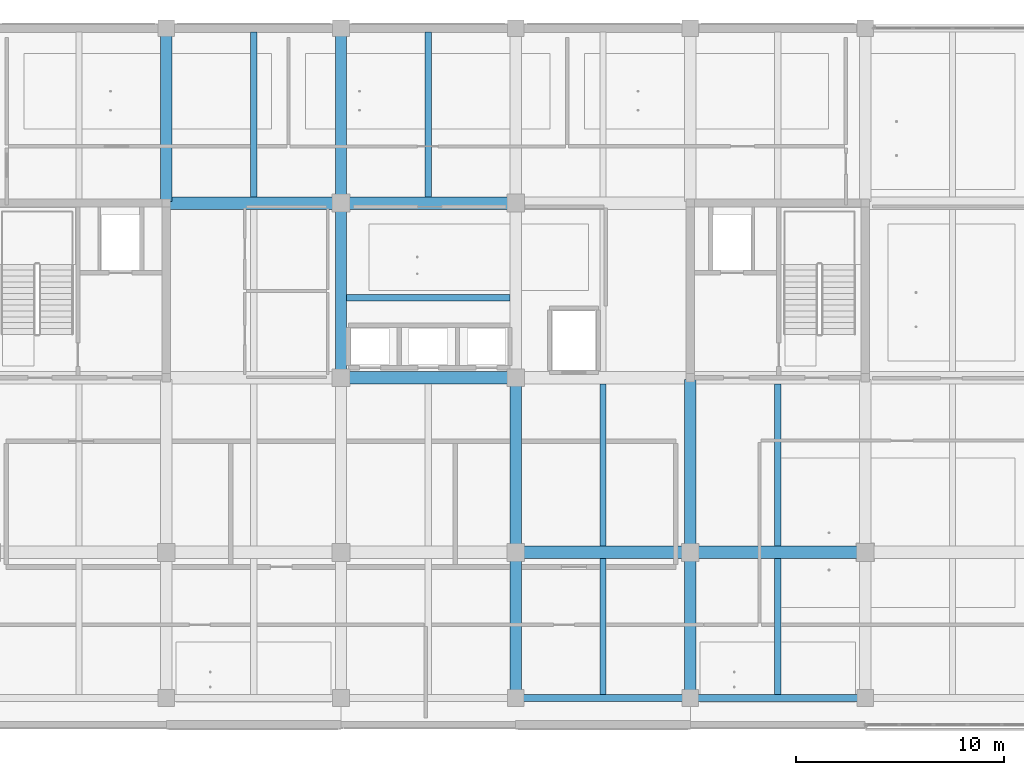
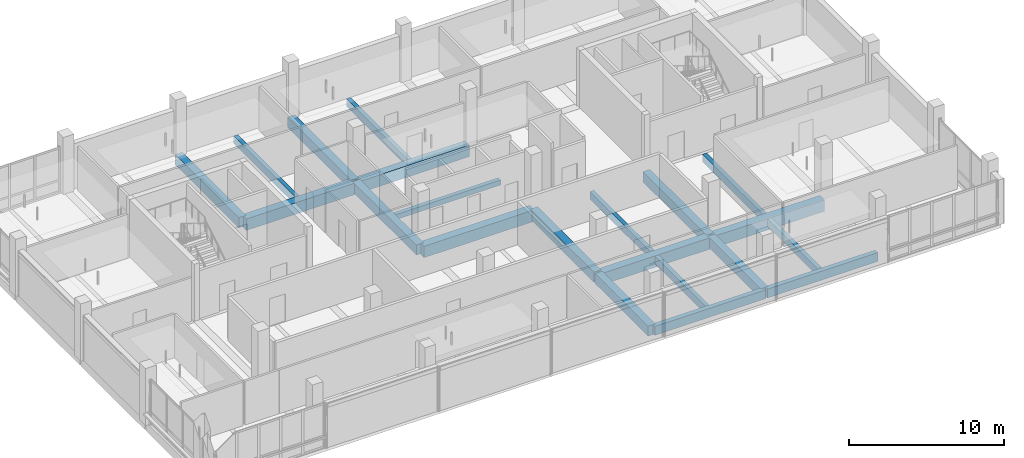
# One storey, part 5 of 35: 21 beams.
"""IFC4 building model written with IfcOpenShell, lengths in metres."""

import ifcopenshell
import ifcopenshell.guid

model = None  # the IFC model being written
_history = None  # IfcOwnerHistory: only IFC2X3 demands one
_inside = {}  # id of a spatial element -> (the spatial element, [elements in it])
_under = {}  # id of a project, library or spatial element -> (it, [spatial elements below it])
_declared = {}  # id of a project -> (the project, [libraries it declares])
_typed = {}  # id of a type object -> (the type object, [elements of that type])
_made_of = {}  # id of a material, layer set ... -> (it, [elements and type objects made of it])


def new_model(schema):
    """Start an empty IFC model of exactly this schema.

    Asked for "IFC4X3", IfcOpenShell would pick the latest addendum, in which some entities
    have other attributes; the version numbers below select the first issue.
    IFC2X3 requires an IfcOwnerHistory on every rooted entity: one is made here for all.
    """
    global model, _history
    if schema == "IFC4X3":
        model = ifcopenshell.file(schema_version=(4, 3, 0, 0))
    else:
        model = ifcopenshell.file(schema=schema)
    _inside.clear()
    _under.clear()
    _declared.clear()
    _typed.clear()
    _made_of.clear()
    _history = None
    if model.schema == "IFC2X3":
        org = make("IfcOrganization", Name="unknown")
        user = make(
            "IfcPersonAndOrganization",
            ThePerson=make("IfcPerson", FamilyName="unknown"),
            TheOrganization=org,
        )
        app = make(
            "IfcApplication",
            ApplicationDeveloper=org,
            Version="unknown",
            ApplicationFullName="unknown",
            ApplicationIdentifier="unknown",
        )
        _history = make(
            "IfcOwnerHistory",
            OwningUser=user,
            OwningApplication=app,
            ChangeAction="ADDED",
            CreationDate=0,
        )
    return model


def make(cls, **values):
    """One entity of the class cls with the attributes given. An attribute that is None is left unset."""
    return model.create_entity(
        cls, **{name: value for name, value in values.items() if value is not None}
    )


def rooted(cls, **values):
    """An entity with a GlobalId (a new one), such as an element, a storey or a relation."""
    return make(cls, GlobalId=ifcopenshell.guid.new(), OwnerHistory=_history, **values)


def si_unit(unit_type, name, prefix=None):
    """IfcSIUnit, for example si_unit("LENGTHUNIT", "METRE", prefix="MILLI")."""
    return make("IfcSIUnit", UnitType=unit_type, Prefix=prefix, Name=name)


def assignment(units):
    """IfcUnitAssignment: the units of a project."""
    return None if units is None else make("IfcUnitAssignment", Units=units)


def point(xyz):
    """IfcCartesianPoint."""
    return None if xyz is None else make("IfcCartesianPoint", Coordinates=xyz)


def direction(xyz):
    """IfcDirection."""
    return None if xyz is None else make("IfcDirection", DirectionRatios=xyz)


def frame(location, z_axis=None, x_axis=None):
    """IfcAxis2Placement3D, a coordinate frame: its origin and axes. An axis left out is left unset."""
    return make(
        "IfcAxis2Placement3D",
        Location=point(location),
        Axis=direction(z_axis),
        RefDirection=direction(x_axis),
    )


def frame_2d(location, x_axis=None):
    """IfcAxis2Placement2D, a coordinate frame in the plane: its origin and x axis."""
    return make(
        "IfcAxis2Placement2D", Location=point(location), RefDirection=direction(x_axis)
    )


def origin():
    """The frame at (0, 0, 0) with its axes left unset."""
    return frame((0.0, 0.0, 0.0))


def origin_2d():
    """The frame at (0, 0) in the plane with its x axis left unset."""
    return frame_2d((0.0, 0.0))


def place(relative_to, where):
    """IfcLocalPlacement: puts the frame where relative to a parent placement (None: the world)."""
    return make(
        "IfcLocalPlacement", PlacementRelTo=relative_to, RelativePlacement=where
    )


def context(
    kind, dimensions, precision=None, world=None, true_north=None, identifier=None
):
    """IfcGeometricRepresentationContext, for example the 3D "Model" context."""
    return make(
        "IfcGeometricRepresentationContext",
        ContextIdentifier=identifier,
        ContextType=kind,
        CoordinateSpaceDimension=dimensions,
        Precision=precision,
        WorldCoordinateSystem=world,
        TrueNorth=true_north,
    )


def subcontext(parent, identifier, kind, view, scale=None):
    """IfcGeometricRepresentationSubContext, for example "Body" below "Model"."""
    return make(
        "IfcGeometricRepresentationSubContext",
        ContextIdentifier=identifier,
        ContextType=kind,
        ParentContext=parent,
        TargetScale=scale,
        TargetView=view,
    )


def project(units=None, contexts=None):
    """IfcProject with its units and contexts."""
    return rooted(
        "IfcProject",
        Name="project",
        RepresentationContexts=contexts,
        UnitsInContext=assignment(units),
    )


def spatial(cls, under=None, at=None, **own):
    """A site, building, storey or space (cls), placed at a placement, below another one or the project."""
    s = rooted(cls, ObjectPlacement=at, **own)
    if under is not None:
        _under.setdefault(under.id(), (under, []))[1].append(s)
    return s


def profile(cls, at=None, kind="AREA", **sizes):
    """A parametric profile (cls). Its sizes go by their IFC names, for example OverallWidth=200.0."""
    return make(cls, ProfileType=kind, Position=at, **sizes)


def rectangle(**sizes):
    """IfcRectangleProfileDef."""
    return profile("IfcRectangleProfileDef", **sizes)


def extrude(swept, where, along, depth):
    """IfcExtrudedAreaSolid: the profile swept, set in the frame where, extruded along a direction by depth."""
    return make(
        "IfcExtrudedAreaSolid",
        SweptArea=swept,
        Position=where,
        ExtrudedDirection=direction(along),
        Depth=depth,
    )


def shape(context_of_items, identifier, shape_type, items):
    """IfcShapeRepresentation: the items that make up one representation, for example the "Body"."""
    return make(
        "IfcShapeRepresentation",
        ContextOfItems=context_of_items,
        RepresentationIdentifier=identifier,
        RepresentationType=shape_type,
        Items=items,
    )


def material(Name=None, Category=None):
    """IfcMaterial."""
    return make("IfcMaterial", Name=Name, Category=Category)


def material_profile(
    of_material, cross_section, Name=None, Category=None, Priority=None
):
    """IfcMaterialProfile: a cross section and its material."""
    return make(
        "IfcMaterialProfile",
        Name=Name,
        Material=of_material,
        Profile=cross_section,
        Priority=Priority,
        Category=Category,
    )


def profile_set(profiles, Name=None, composite=None):
    """IfcMaterialProfileSet."""
    return make(
        "IfcMaterialProfileSet",
        Name=Name,
        MaterialProfiles=profiles,
        CompositeProfile=composite,
    )


def made_of(thing, what):
    """Note that an element or type object is made of a material, layer set ...; save() writes the relation."""
    if what is not None:
        _made_of.setdefault(what.id(), (what, []))[1].append(thing)
    return thing


def type_object(cls, material=None, **own):
    """A type object (cls), such as IfcWallType, which elements share."""
    return made_of(rooted(cls, **own), material)


def element(
    cls,
    number,
    at=None,
    inside=None,
    cuts=None,
    type_object=None,
    material=None,
    context=None,
    identifier="Body",
    shape_type=None,
    held_by="IfcProductDefinitionShape",
    body=None,
    shapes=None,
    **own,
):
    """One element of the class cls, such as IfcWall. Its Tag is "e" and its number.

    at: its placement. inside: the storey or other place that contains it. cuts: it is an
    opening in that element (IfcRelVoidsElement). A single representation is given by context,
    identifier, shape_type and body (its items); several are given by shapes. held_by: the class
    of the entity that holds the representations. save() writes the other relations.
    """
    e = rooted(cls, Tag="e%d" % number, ObjectPlacement=at, **own)
    if body is not None:
        shapes = [shape(context, identifier, shape_type, body)]
    if shapes is not None:
        e.Representation = make(held_by, Representations=shapes)
    if inside is not None:
        _inside.setdefault(inside.id(), (inside, []))[1].append(e)
    if cuts is not None:
        rooted(
            "IfcRelVoidsElement", RelatingBuildingElement=cuts, RelatedOpeningElement=e
        )
    if type_object is not None:
        _typed.setdefault(type_object.id(), (type_object, []))[1].append(e)
    return made_of(e, material)


def aggregate(whole, parts):
    """IfcRelAggregates: a whole, such as a stair, and the parts it consists of."""
    return rooted("IfcRelAggregates", RelatingObject=whole, RelatedObjects=parts)


def save(model, path):
    """Write the relations noted so far, then the file.

    IfcRelAggregates (storeys below a building ...), IfcRelContainedInSpatialStructure (elements
    in a storey), IfcRelDefinesByType, IfcRelAssociatesMaterial and IfcRelDeclares: one each for
    every whole, place, type object, material and project.
    """
    for whole, parts in _under.values():
        aggregate(whole, parts)
    for where, things in _inside.values():
        rooted(
            "IfcRelContainedInSpatialStructure",
            RelatedElements=things,
            RelatingStructure=where,
        )
    for kind, things in _typed.values():
        rooted("IfcRelDefinesByType", RelatedObjects=things, RelatingType=kind)
    for what, things in _made_of.values():
        rooted("IfcRelAssociatesMaterial", RelatedObjects=things, RelatingMaterial=what)
    for by, libraries in _declared.values():
        rooted("IfcRelDeclares", RelatingContext=by, RelatedDefinitions=libraries)
    model.write(path)


model = new_model("IFC4")

# Units and contexts
model_context = context("Model", 3, precision=1e-05, world=origin(), true_north=direction((0.0, 1.0)))
body_context = subcontext(model_context, "Body", "Model", "MODEL_VIEW")
ifc_project = project(units=[si_unit("LENGTHUNIT", "METRE"), si_unit("AREAUNIT", "SQUARE_METRE"), si_unit("VOLUMEUNIT", "CUBIC_METRE"), si_unit("PLANEANGLEUNIT", "RADIAN"), si_unit("MASSUNIT", "GRAM", prefix="KILO")], contexts=[model_context])

# Site, building, storey
site_placement = place(None, origin())
site = spatial("IfcSite", under=ifc_project, at=site_placement, CompositionType="ELEMENT")
building_placement = place(site_placement, origin())
building = spatial("IfcBuilding", under=site, at=building_placement, Name="Telukmera Botanical Conservatory", CompositionType="ELEMENT")
storey_placement = place(building_placement, frame((0.0, 0.0, 28.5)))
storey = spatial("IfcBuildingStorey", under=building, at=storey_placement, Name="L06", CompositionType="ELEMENT", Elevation=28.5)

# Beams
ifc_material_1 = material(Name="Concrete C40/50", Category="concrete")
ifc_material_profile_1 = material_profile(ifc_material_1, rectangle(XDim=0.550048828125, YDim=0.800048828125, at=origin_2d()), Name="RC 550x800")
ifc_profile_set_1 = profile_set([ifc_material_profile_1], Name="Concrete C40/50")
beam_type_1 = type_object("IfcBeamType", Name="Beam_B12", PredefinedType="BEAM", material=ifc_profile_set_1)
for number, where, z_axis, x_axis, name in (
    (1, (67.199951171875, 34.47998046875, -0.39990234375), (0.0, 1.0, 0.0), (-1.0, 0.0, 0.0), "Tower Transverse Beam L06"),
    (2, (75.60009765625, 26.080078125, -0.39990234375), (0.0, 1.0, 0.0), (-1.0, 0.0, 0.0), "Tower Transverse Beam L06"),
    (3, (75.60009765625, 34.47998046875, -0.39990234375), (0.0, 1.0, 0.0), (-1.0, 0.0, 0.0), "Tower Transverse Beam L06"),
):
    element("IfcBeam", number, at=place(storey_placement, frame(where, z_axis=z_axis, x_axis=x_axis)), inside=storey, type_object=beam_type_1, Name=name, PredefinedType="BEAM", context=body_context, shape_type="SweptSolid", body=[
        extrude(rectangle(XDim=0.550048828125, YDim=0.800048828125, at=origin_2d()), origin(), (0.0, 0.0, 1.0), 8.239990234375),
    ])
beam_1_placement = place(storey_placement, frame((84.0, 10.679931640625, -0.39990234375), z_axis=(0.0, 1.0, 0.0), x_axis=(-1.0, 0.0, 0.0)))
element("IfcBeam", 4, at=beam_1_placement, inside=storey, type_object=beam_type_1, Name="Tower Transverse Beam L06", PredefinedType="BEAM", context=body_context, shape_type="SweptSolid", body=[
    extrude(rectangle(XDim=0.550048828125, YDim=0.800048828125, at=origin_2d()), origin(), (0.0, 0.0, 1.0), 6.840087890625),
])
beam_2_placement = place(storey_placement, frame((84.0, 17.679931640625, -0.39990234375), z_axis=(0.0, 1.0, 0.0), x_axis=(-1.0, 0.0, 0.0)))
element("IfcBeam", 5, at=beam_2_placement, inside=storey, type_object=beam_type_1, Name="Tower Transverse Beam L06", PredefinedType="BEAM", context=body_context, shape_type="SweptSolid", body=[
    extrude(rectangle(XDim=0.550048828125, YDim=0.800048828125, at=origin_2d()), origin(), (0.0, 0.0, 1.0), 8.239990234375),
])
beam_3_placement = place(storey_placement, frame((92.39990234375, 10.679931640625, -0.39990234375), z_axis=(0.0, 1.0, 0.0), x_axis=(-1.0, 0.0, 0.0)))
element("IfcBeam", 6, at=beam_3_placement, inside=storey, type_object=beam_type_1, Name="Tower Transverse Beam L06", PredefinedType="BEAM", context=body_context, shape_type="SweptSolid", body=[
    extrude(rectangle(XDim=0.550048828125, YDim=0.800048828125, at=origin_2d()), origin(), (0.0, 0.0, 1.0), 6.840087890625),
])
beam_4_placement = place(storey_placement, frame((92.39990234375, 17.679931640625, -0.39990234375), z_axis=(0.0, 1.0, 0.0), x_axis=(-1.0, 0.0, 0.0)))
element("IfcBeam", 7, at=beam_4_placement, inside=storey, type_object=beam_type_1, Name="Tower Transverse Beam L06", PredefinedType="BEAM", context=body_context, shape_type="SweptSolid", body=[
    extrude(rectangle(XDim=0.550048828125, YDim=0.800048828125, at=origin_2d()), origin(), (0.0, 0.0, 1.0), 8.239990234375),
])
ifc_material_profile_2 = material_profile(ifc_material_1, rectangle(XDim=0.300048828125, YDim=0.60009765625, at=origin_2d()), Name="RC 300x600")
ifc_profile_set_2 = profile_set([ifc_material_profile_2], Name="Concrete C40/50")
beam_type_2 = type_object("IfcBeamType", Name="Beam_B23", PredefinedType="JOIST", material=ifc_profile_set_2)
for number, where, z_axis, x_axis, name in (
    (8, (71.39990234375, 34.699951171875, -0.300048828125), (0.0, 1.0, 0.0), (-1.0, 0.0, 0.0), "Tower Secondary Floor Joist L06"),
    (9, (79.800048828125, 34.699951171875, -0.300048828125), (0.0, 1.0, 0.0), (-1.0, 0.0, 0.0), "Tower Secondary Floor Joist L06"),
):
    element("IfcBeam", number, at=place(storey_placement, frame(where, z_axis=z_axis, x_axis=x_axis)), inside=storey, type_object=beam_type_2, Name=name, PredefinedType="JOIST", context=body_context, shape_type="SweptSolid", body=[
        extrude(rectangle(XDim=0.300048828125, YDim=0.60009765625, at=origin_2d()), origin(), (0.0, 0.0, 1.0), 7.925048828125),
    ])
beam_5_placement = place(storey_placement, frame((88.199951171875, 10.77490234375, -0.300048828125), z_axis=(0.0, 1.0, 0.0), x_axis=(-1.0, 0.0, 0.0)))
element("IfcBeam", 10, at=beam_5_placement, inside=storey, type_object=beam_type_2, Name="Tower Secondary Floor Joist L06", PredefinedType="JOIST", context=body_context, shape_type="SweptSolid", body=[
    extrude(rectangle(XDim=0.300048828125, YDim=0.60009765625, at=origin_2d()), origin(), (0.0, 0.0, 1.0), 6.525146484375),
])
beam_6_placement = place(storey_placement, frame((88.199951171875, 17.89990234375, -0.300048828125), z_axis=(0.0, 1.0, 0.0), x_axis=(-1.0, 0.0, 0.0)))
element("IfcBeam", 11, at=beam_6_placement, inside=storey, type_object=beam_type_2, Name="Tower Secondary Floor Joist L06", PredefinedType="JOIST", context=body_context, shape_type="SweptSolid", body=[
    extrude(rectangle(XDim=0.300048828125, YDim=0.60009765625, at=origin_2d()), origin(), (0.0, 0.0, 1.0), 7.800048828125),
])
beam_7_placement = place(storey_placement, frame((96.60009765625, 10.77490234375, -0.300048828125), z_axis=(0.0, 1.0, 0.0), x_axis=(-1.0, 0.0, 0.0)))
element("IfcBeam", 12, at=beam_7_placement, inside=storey, type_object=beam_type_2, Name="Tower Secondary Floor Joist L06", PredefinedType="JOIST", context=body_context, shape_type="SweptSolid", body=[
    extrude(rectangle(XDim=0.300048828125, YDim=0.60009765625, at=origin_2d()), origin(), (0.0, 0.0, 1.0), 6.525146484375),
])
beam_8_placement = place(storey_placement, frame((96.60009765625, 17.89990234375, -0.300048828125), z_axis=(0.0, 1.0, 0.0), x_axis=(-1.0, 0.0, 0.0)))
element("IfcBeam", 13, at=beam_8_placement, inside=storey, type_object=beam_type_2, Name="Tower Secondary Floor Joist L06", PredefinedType="JOIST", context=body_context, shape_type="SweptSolid", body=[
    extrude(rectangle(XDim=0.300048828125, YDim=0.60009765625, at=origin_2d()), origin(), (0.0, 0.0, 1.0), 7.800048828125),
])
ifc_material_profile_3 = material_profile(ifc_material_1, rectangle(XDim=0.60009765625, YDim=0.89990234375, at=origin_2d()), Name="RC 600x900")
ifc_profile_set_3 = profile_set([ifc_material_profile_3], Name="Concrete C40/50")
beam_type_3 = type_object("IfcBeamType", Name="Beam_B3", PredefinedType="BEAM", material=ifc_profile_set_3)
for number, where, z_axis, x_axis, name in (
    (14, (84.080078125, 17.60009765625, -0.449951171875), (1.0, 0.0, 0.0), (0.0, 1.0, 0.0), "Tower Grid Beam L06"),
    (15, (92.47998046875, 17.60009765625, -0.449951171875), (1.0, 0.0, 0.0), (0.0, 1.0, 0.0), "Tower Grid Beam L06"),
    (16, (75.679931640625, 26.0, -0.449951171875), (1.0, 0.0, 0.0), (0.0, 1.0, 0.0), "Tower Grid Beam L06"),
    (17, (67.280029296875, 34.39990234375, -0.449951171875), (1.0, 0.0, 0.0), (0.0, 1.0, 0.0), "Tower Grid Beam L06"),
    (18, (75.679931640625, 34.39990234375, -0.449951171875), (1.0, 0.0, 0.0), (0.0, 1.0, 0.0), "Tower Grid Beam L06"),
):
    element("IfcBeam", number, at=place(storey_placement, frame(where, z_axis=z_axis, x_axis=x_axis)), inside=storey, type_object=beam_type_3, Name=name, PredefinedType="BEAM", context=body_context, shape_type="SweptSolid", body=[
        extrude(rectangle(XDim=0.60009765625, YDim=0.89990234375, at=origin_2d()), origin(), (0.0, 0.0, 1.0), 8.239990234375),
    ])
ifc_material_2 = material(Name="Precast concrete C40/50", Category="concrete")
ifc_material_profile_4 = material_profile(ifc_material_2, rectangle(XDim=0.300048828125, YDim=0.39990234375, at=origin_2d()), Name="PC 300x400")
ifc_profile_set_4 = profile_set([ifc_material_profile_4], Name="Precast concrete C40/50")
beam_type_4 = type_object("IfcBeamType", Name="Beam_LN1", PredefinedType="LINTEL", material=ifc_profile_set_4)
beam_9_placement = place(storey_placement, frame((75.875, 29.85009765625, -0.199951171875), z_axis=(1.0, 0.0, 0.0), x_axis=(0.0, 1.0, 0.0)))
element("IfcBeam", 19, at=beam_9_placement, inside=storey, type_object=beam_type_4, Name="Tower Lift Bank Header Lintel L06", PredefinedType="LINTEL", context=body_context, shape_type="SweptSolid", body=[
    extrude(rectangle(XDim=0.300048828125, YDim=0.39990234375, at=origin_2d()), origin(), (0.0, 0.0, 1.0), 7.85009765625),
])
ifc_material_profile_5 = material_profile(ifc_material_2, rectangle(XDim=0.35009765625, YDim=0.699951171875, at=origin_2d()), Name="PC 350x700")
ifc_profile_set_5 = profile_set([ifc_material_profile_5], Name="Precast concrete C40/50")
beam_type_5 = type_object("IfcBeamType", Name="Beam_SP2", PredefinedType="SPANDREL", material=ifc_profile_set_5)
for number, where, z_axis, x_axis, name in (
    (20, (84.080078125, 10.60009765625, -0.35009765625), (1.0, 0.0, 0.0), (0.0, 1.0, 0.0), "Tower Grid Beam L06"),
    (21, (92.47998046875, 10.60009765625, -0.35009765625), (1.0, 0.0, 0.0), (0.0, 1.0, 0.0), "Tower Grid Beam L06"),
):
    element("IfcBeam", number, at=place(storey_placement, frame(where, z_axis=z_axis, x_axis=x_axis)), inside=storey, type_object=beam_type_5, Name=name, PredefinedType="SPANDREL", context=body_context, shape_type="SweptSolid", body=[
        extrude(rectangle(XDim=0.35009765625, YDim=0.699951171875, at=origin_2d()), origin(), (0.0, 0.0, 1.0), 8.239990234375),
    ])

save(model, "model.ifc")
